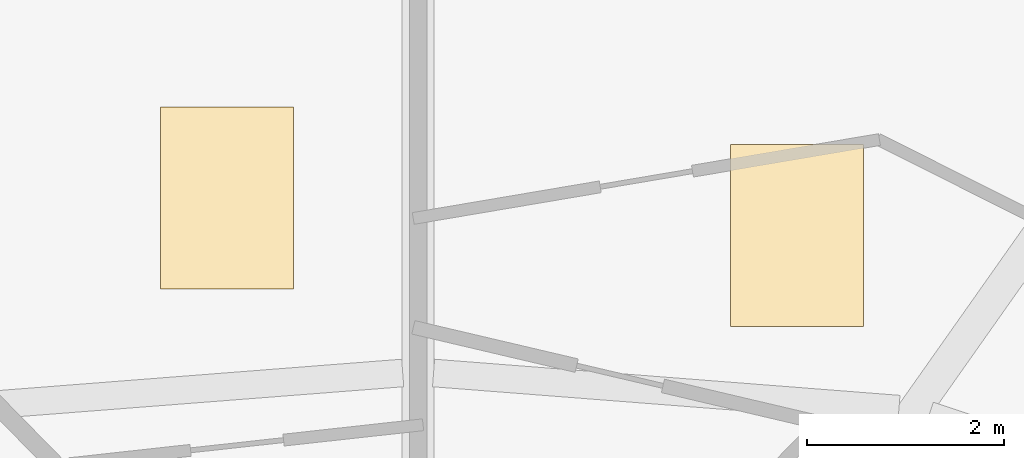
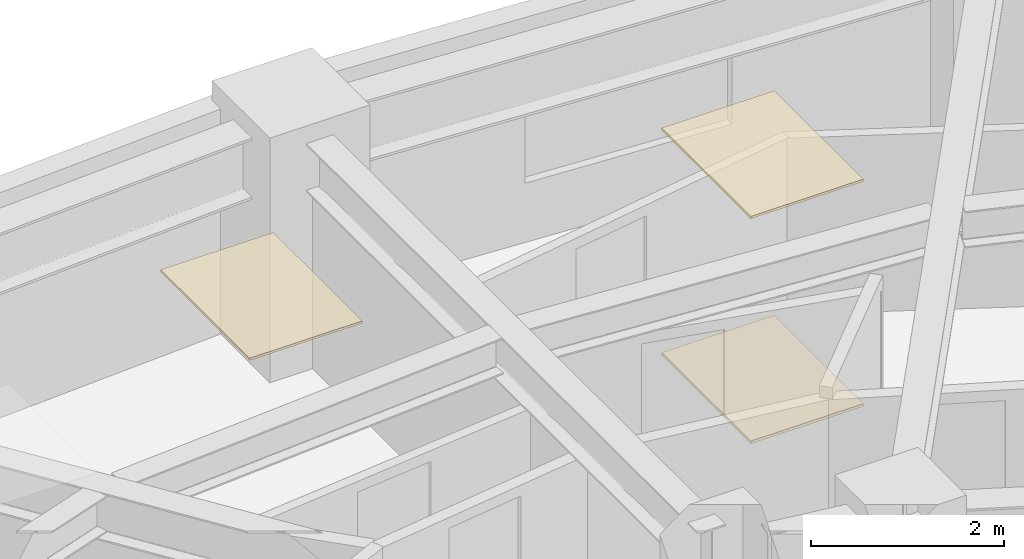
# One storey, part 15 of 15: 3 coverings.
"""IFC4 building model written with IfcOpenShell, lengths in metres."""

from ifc_helpers import new_model, si_unit, direction, frame, origin, place, context, subcontext, project, spatial, polyline, outline, extrude, material, layer, layer_set, type_object, element, save


model = new_model("IFC4")

# Units and contexts
model_context = context("Model", 3, precision=1e-05, world=origin(), true_north=direction((0.0, 1.0)))
body_context = subcontext(model_context, "Body", "Model", "MODEL_VIEW")
ifc_project = project(units=[si_unit("LENGTHUNIT", "METRE"), si_unit("AREAUNIT", "SQUARE_METRE"), si_unit("VOLUMEUNIT", "CUBIC_METRE"), si_unit("PLANEANGLEUNIT", "RADIAN"), si_unit("MASSUNIT", "GRAM", prefix="KILO")], contexts=[model_context])

# Site, building, storey
site_placement = place(None, origin())
site = spatial("IfcSite", under=ifc_project, at=site_placement, CompositionType="ELEMENT")
building_placement = place(site_placement, origin())
building = spatial("IfcBuilding", under=site, at=building_placement, Name="Solvane Sanctuary Tower", CompositionType="ELEMENT")
storey_placement = place(building_placement, frame((0.0, 0.0, 46.199951171875)))
storey = spatial("IfcBuildingStorey", under=building, at=storey_placement, Name="L13", CompositionType="ELEMENT", Elevation=46.199951171875)

# Coverings
ifc_material_1 = material(Name="Acoustic Gypsum Partition Board")
ifc_layer_1 = layer(ifc_material_1, 0.02490234375, Name="Acoustic Gypsum Partition Board")
ifc_layer_set_1 = layer_set([ifc_layer_1], Name="Acoustic Gypsum Partition Board")
covering_type_1 = type_object("IfcCoveringType", Name="Covering CLG-ACOUST", PredefinedType="CEILING", material=ifc_layer_set_1)
covering_1_placement = place(storey_placement, frame((0.0, 0.0, 2.85009765625)))
element("IfcCovering", 1, at=covering_1_placement, inside=storey, type_object=covering_type_1, Name="L13 Unit Acoustic Ceiling Panel 1", PredefinedType="CEILING", context=body_context, shape_type="SweptSolid", body=[
    extrude(outline(polyline([(35.1708984375, 36.428955078125), (36.52099609375, 36.428955078125), (36.52099609375, 38.279052734375), (35.1708984375, 38.279052734375), (35.1708984375, 36.428955078125)])), origin(), (0.0, 0.0, 1.0), 0.030029296875),
])
covering_2_placement = place(storey_placement, frame((0.0, 0.0, 2.85009765625)))
element("IfcCovering", 2, at=covering_2_placement, inside=storey, type_object=covering_type_1, Name="L13 Unit Acoustic Ceiling Panel 2", PredefinedType="CEILING", context=body_context, shape_type="SweptSolid", body=[
    extrude(outline(polyline([(29.385009765625, 36.80810546875), (30.735107421875, 36.80810546875), (30.735107421875, 38.657958984375), (29.385009765625, 38.657958984375), (29.385009765625, 36.80810546875)])), origin(), (0.0, 0.0, 1.0), 0.030029296875),
])
ifc_material_2 = material(Name="Ceramic Tile Finish")
ifc_layer_2 = layer(ifc_material_2, 0.030029296875, Name="Ceramic Tile Finish")
ifc_layer_set_2 = layer_set([ifc_layer_2], Name="Ceramic Tile Finish")
covering_type_2 = type_object("IfcCoveringType", Name="Covering FLR-TERRAZZO", PredefinedType="FLOORING", material=ifc_layer_set_2)
covering_3_placement = place(storey_placement, origin())
element("IfcCovering", 3, at=covering_3_placement, inside=storey, type_object=covering_type_2, Name="L13 Unit Terrazzo Inlay 1", PredefinedType="FLOORING", context=body_context, shape_type="SweptSolid", body=[
    extrude(outline(polyline([(35.1708984375, 36.428955078125), (36.52099609375, 36.428955078125), (36.52099609375, 38.279052734375), (35.1708984375, 38.279052734375), (35.1708984375, 36.428955078125)])), origin(), (0.0, 0.0, 1.0), 0.03515625),
])

save(model, "model.ifc")
